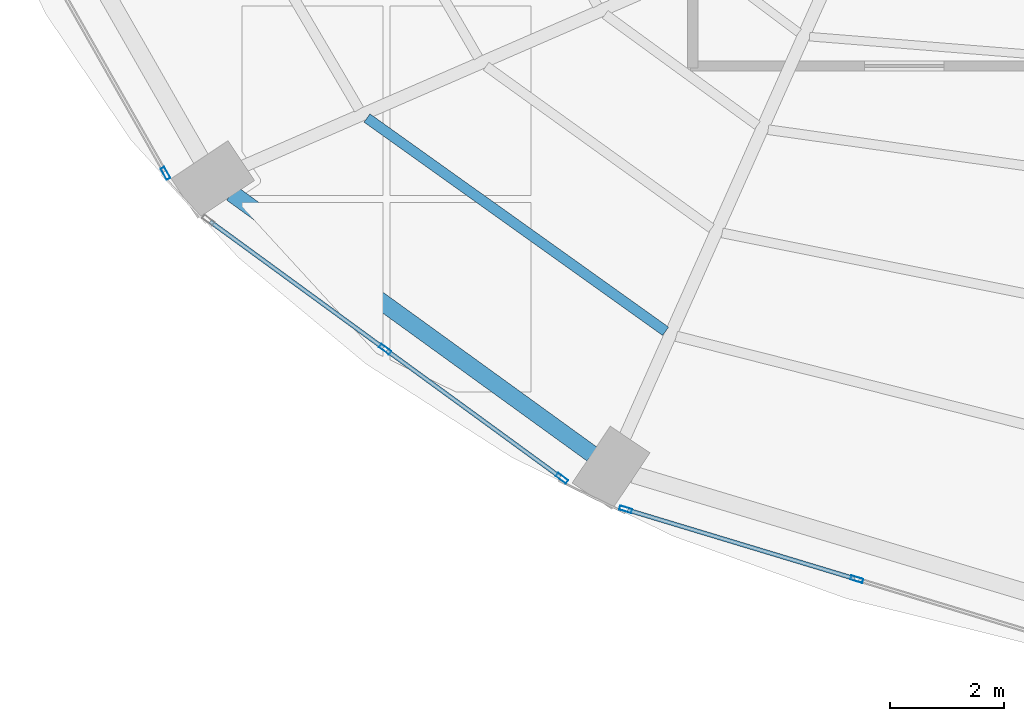
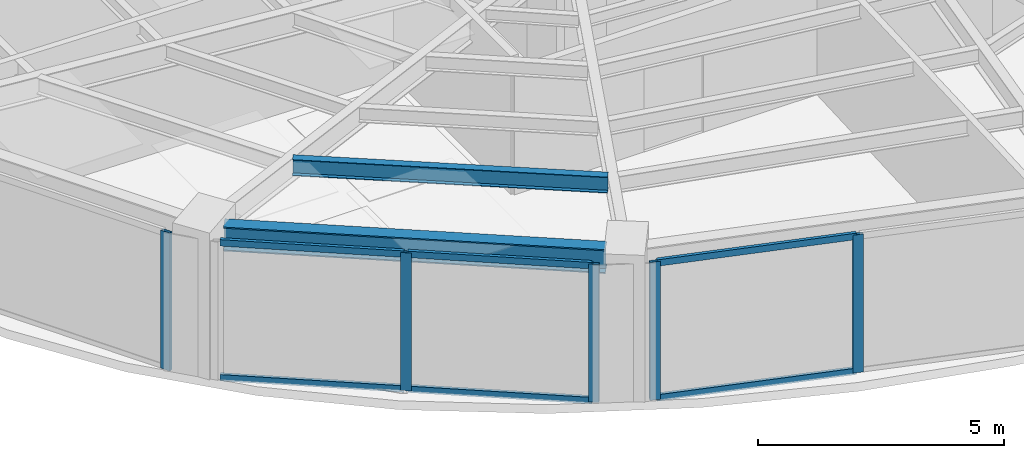
# One storey, part 2 of 24: 11 members, 2 beams, 3 elements without a shape of their own.
"""IFC4 building model written with IfcOpenShell, lengths in metres."""

from ifc_helpers import new_model, si_unit, direction, frame, origin, origin_2d, place, context, subcontext, project, spatial, hollow_rectangle, i_section, extrude, material, layer, layer_set, material_profile, profile_set, type_object, element, aggregate, save


model = new_model("IFC4")

# Units and contexts
model_context = context("Model", 3, precision=1e-05, world=origin(), true_north=direction((0.0, 1.0)))
body_context = subcontext(model_context, "Body", "Model", "MODEL_VIEW")
ifc_project = project(units=[si_unit("LENGTHUNIT", "METRE"), si_unit("AREAUNIT", "SQUARE_METRE"), si_unit("VOLUMEUNIT", "CUBIC_METRE"), si_unit("PLANEANGLEUNIT", "RADIAN"), si_unit("MASSUNIT", "GRAM", prefix="KILO")], contexts=[model_context])

# Site, building, storey
site_placement = place(None, origin())
site = spatial("IfcSite", under=ifc_project, at=site_placement, CompositionType="ELEMENT")
building_placement = place(site_placement, origin())
building = spatial("IfcBuilding", under=site, at=building_placement, Name="Lazwardi Medical Tower", CompositionType="ELEMENT")
storey_placement = place(building_placement, frame((0.0, 0.0, 103.632080078125)))
storey = spatial("IfcBuildingStorey", under=building, at=storey_placement, Name="L26", CompositionType="ELEMENT", Elevation=103.632080078125)

# Beams
ifc_material_1 = material(Name="Steel S355", Category="steel")
ifc_material_profile_1 = material_profile(ifc_material_1, i_section(OverallWidth=0.300048828125, OverallDepth=0.60009765625, WebThickness=0.015380859375, FlangeThickness=0.030029296875, at=origin_2d()), Name="HEB 600")
ifc_profile_set_1 = profile_set([ifc_material_profile_1], Name="Steel S355")
beam_type_1 = type_object("IfcBeamType", Name="BM-RB-Z2", PredefinedType="BEAM", material=ifc_profile_set_1)
beam_1_placement = place(storey_placement, frame((15.25439453125, 15.164794921875, 3.1279296875), z_axis=(0.81005674773, -0.586351486275, 0.0), x_axis=(0.586351486275, 0.81005674773, 0.0)))
element("IfcBeam", 1, at=beam_1_placement, inside=storey, type_object=beam_type_1, Name="Ring beam RB-03 B14 L26", PredefinedType="BEAM", context=body_context, shape_type="SweptSolid", body=[
    extrude(i_section(OverallWidth=0.300048828125, OverallDepth=0.60009765625, WebThickness=0.015380859375, FlangeThickness=0.030029296875, at=origin_2d()), origin(), (0.0, 0.0, 1.0), 7.81396484375),
])
ifc_material_profile_2 = material_profile(ifc_material_1, i_section(OverallWidth=0.179931640625, OverallDepth=0.39990234375, WebThickness=0.008544921875, FlangeThickness=0.013427734375, at=origin_2d()), Name="IPE 400")
ifc_profile_set_2 = profile_set([ifc_material_profile_2], Name="Steel S355")
beam_type_2 = type_object("IfcBeamType", Name="BM-SJ-01", PredefinedType="JOIST", material=ifc_profile_set_2)
beam_2_placement = place(storey_placement, frame((17.630615234375, 16.485595703125, 3.22802734375), z_axis=(0.813748834317, -0.581216684763, 0.0), x_axis=(0.581216684763, 0.813748834317, 0.0)))
element("IfcBeam", 2, at=beam_2_placement, inside=storey, type_object=beam_type_2, Name="Secondary joist SJ-01 R1 B14 L26", PredefinedType="JOIST", context=body_context, shape_type="SweptSolid", body=[
    extrude(i_section(OverallWidth=0.179931640625, OverallDepth=0.39990234375, WebThickness=0.008544921875, FlangeThickness=0.013427734375, at=origin_2d()), origin(), (0.0, 0.0, 1.0), 6.4423828125),
])

# Curtain wall, member
ifc_material_2 = material(Name="Anodised bronze aluminium and solar control glazing", Category="aluminium")
ifc_layer = layer(ifc_material_2, 0.195068359375)
ifc_layer_set = layer_set([ifc_layer], Name="Anodised bronze aluminium and solar control glazing")
curtain_wall_type = type_object("IfcCurtainWallType", Name="CW-SYS-03", PredefinedType="NOTDEFINED", material=ifc_layer_set)
curtain_wall_1_placement = place(storey_placement, origin())
curtain_wall_1 = element("IfcCurtainWall", 3, at=curtain_wall_1_placement, inside=storey, type_object=curtain_wall_type, Name="L26 Unitised bronze curtain wall CW-03", PredefinedType="NOTDEFINED")
ifc_material_3 = material(Name="Anodised bronze aluminium", Category="aluminium")
ifc_material_profile_3 = material_profile(ifc_material_3, hollow_rectangle(XDim=0.074951171875, YDim=0.219970703125, WallThickness=0.00390625, at=origin_2d()), Name="ALU-MULLION 220x75x4")
ifc_profile_set_3 = profile_set([ifc_material_profile_3], Name="Anodised bronze aluminium")
member_type_1 = type_object("IfcMemberType", Name="CW-MUL-01", PredefinedType="MULLION", material=ifc_profile_set_3)
member_1_placement = place(storey_placement, frame((14.0927734375, 15.51416015625, 0.0), z_axis=(0.0, 0.0, 1.0), x_axis=(0.869687265712, 0.493603140041, 0.0)))
member_1 = element("IfcMember", 4, at=member_1_placement, type_object=member_type_1, Name="CW-03 mullion 2", PredefinedType="MULLION", context=body_context, shape_type="SweptSolid", body=[
    extrude(hollow_rectangle(XDim=0.074951171875, YDim=0.219970703125, WallThickness=0.00390625, at=origin_2d()), origin(), (0.0, 0.0, 1.0), 3.427978515625),
])
aggregate(curtain_wall_1, [member_1])

# Curtain wall, members
curtain_wall_2_placement = place(storey_placement, origin())
curtain_wall_2 = element("IfcCurtainWall", 5, at=curtain_wall_2_placement, inside=storey, type_object=curtain_wall_type, Name="L26 Unitised bronze curtain wall CW-03", PredefinedType="NOTDEFINED")
member_2_placement = place(storey_placement, frame((17.948974609375, 12.42578125, 0.0), z_axis=(0.0, 0.0, 1.0), x_axis=(0.589530882802, 0.807745837639, 0.0)))
member_2 = element("IfcMember", 6, at=member_2_placement, type_object=member_type_1, Name="CW-03 mullion 2", PredefinedType="MULLION", context=body_context, shape_type="SweptSolid", body=[
    extrude(hollow_rectangle(XDim=0.074951171875, YDim=0.219970703125, WallThickness=0.00390625, at=origin_2d()), origin(), (0.0, 0.0, 1.0), 3.427978515625),
])
member_3_placement = place(storey_placement, frame((21.052734375, 10.160400390625, 0.0), z_axis=(0.0, 0.0, 1.0), x_axis=(0.589530882802, 0.807745837639, 0.0)))
member_3 = element("IfcMember", 7, at=member_3_placement, type_object=member_type_1, Name="CW-03 mullion 3", PredefinedType="MULLION", context=body_context, shape_type="SweptSolid", body=[
    extrude(hollow_rectangle(XDim=0.074951171875, YDim=0.219970703125, WallThickness=0.00390625, at=origin_2d()), origin(), (0.0, 0.0, 1.0), 3.427978515625),
])

curtain_wall_3_placement = place(storey_placement, origin())
curtain_wall_3 = element("IfcCurtainWall", 8, at=curtain_wall_3_placement, inside=storey, type_object=curtain_wall_type, Name="L26 Unitised bronze curtain wall CW-03", PredefinedType="NOTDEFINED")
member_4_placement = place(storey_placement, frame((22.171630859375, 9.614013671875, 0.0), z_axis=(0.0, 0.0, 1.0), x_axis=(0.28937381157, 0.957216170558, 0.0)))
member_4 = element("IfcMember", 9, at=member_4_placement, type_object=member_type_1, Name="CW-03 mullion 1", PredefinedType="MULLION", context=body_context, shape_type="SweptSolid", body=[
    extrude(hollow_rectangle(XDim=0.074951171875, YDim=0.219970703125, WallThickness=0.00390625, at=origin_2d()), origin(), (0.0, 0.0, 1.0), 3.427978515625),
])
member_5_placement = place(storey_placement, frame((26.230712890625, 8.386962890625, 0.0), z_axis=(0.0, 0.0, 1.0), x_axis=(0.28937381157, 0.957216170558, 0.0)))
member_5 = element("IfcMember", 10, at=member_5_placement, type_object=member_type_1, Name="CW-03 mullion 2", PredefinedType="MULLION", context=body_context, shape_type="SweptSolid", body=[
    extrude(hollow_rectangle(XDim=0.074951171875, YDim=0.219970703125, WallThickness=0.00390625, at=origin_2d()), origin(), (0.0, 0.0, 1.0), 3.427978515625),
])

# Member
ifc_material_profile_4 = material_profile(ifc_material_3, hollow_rectangle(XDim=0.074951171875, YDim=0.159912109375, WallThickness=0.00390625, at=origin_2d()), Name="ALU-TRANSOM 160x75x4")
ifc_profile_set_4 = profile_set([ifc_material_profile_4], Name="Anodised bronze aluminium")
member_type_2 = type_object("IfcMemberType", Name="CW-TRN-01", PredefinedType="USERDEFINED", material=ifc_profile_set_4)
member_6_placement = place(storey_placement, frame((14.87548828125, 14.6689453125, 0.037353515625), z_axis=(0.807731734271, -0.589550206049, 0.0), x_axis=(0.589550206049, 0.807731734271, 0.0)))
member_6 = element("IfcMember", 11, at=member_6_placement, type_object=member_type_2, Name="CW-03 transom 1.1", ObjectType="TRANSOM", PredefinedType="USERDEFINED", context=body_context, shape_type="SweptSolid", body=[
    extrude(hollow_rectangle(XDim=0.074951171875, YDim=0.159912109375, WallThickness=0.00390625, at=origin_2d()), origin(), (0.0, 0.0, 1.0), 3.767578125),
])

member_7_placement = place(storey_placement, frame((14.87548828125, 14.6689453125, 3.390380859375), z_axis=(0.807731734271, -0.589550206049, 0.0), x_axis=(0.589550206049, 0.807731734271, 0.0)))
member_7 = element("IfcMember", 12, at=member_7_placement, type_object=member_type_2, Name="CW-03 transom 1.2", ObjectType="TRANSOM", PredefinedType="USERDEFINED", context=body_context, shape_type="SweptSolid", body=[
    extrude(hollow_rectangle(XDim=0.074951171875, YDim=0.159912109375, WallThickness=0.00390625, at=origin_2d()), origin(), (0.0, 0.0, 1.0), 3.767578125),
])

member_8_placement = place(storey_placement, frame((17.979248046875, 12.403564453125, 0.037353515625), z_axis=(0.80776259199, -0.58950792614, 0.0), x_axis=(0.58950792614, 0.80776259199, 0.0)))
member_8 = element("IfcMember", 13, at=member_8_placement, type_object=member_type_2, Name="CW-03 transom 2.1", ObjectType="TRANSOM", PredefinedType="USERDEFINED", context=body_context, shape_type="SweptSolid", body=[
    extrude(hollow_rectangle(XDim=0.074951171875, YDim=0.159912109375, WallThickness=0.00390625, at=origin_2d()), origin(), (0.0, 0.0, 1.0), 3.767578125),
])

member_9_placement = place(storey_placement, frame((17.979248046875, 12.403564453125, 3.390380859375), z_axis=(0.80776259199, -0.58950792614, 0.0), x_axis=(0.58950792614, 0.80776259199, 0.0)))
member_9 = element("IfcMember", 14, at=member_9_placement, type_object=member_type_2, Name="CW-03 transom 2.2", ObjectType="TRANSOM", PredefinedType="USERDEFINED", context=body_context, shape_type="SweptSolid", body=[
    extrude(hollow_rectangle(XDim=0.074951171875, YDim=0.159912109375, WallThickness=0.00390625, at=origin_2d()), origin(), (0.0, 0.0, 1.0), 3.767578125),
])

aggregate(curtain_wall_2, [member_2, member_3, member_6, member_7, member_8, member_9])

member_10_placement = place(storey_placement, frame((22.20751953125, 9.603271484375, 0.037353515625), z_axis=(0.957204630929, -0.289411980623, 0.0), x_axis=(0.289411980623, 0.957204630929, 0.0)))
member_10 = element("IfcMember", 15, at=member_10_placement, type_object=member_type_2, Name="CW-03 transom 1.1", ObjectType="TRANSOM", PredefinedType="USERDEFINED", context=body_context, shape_type="SweptSolid", body=[
    extrude(hollow_rectangle(XDim=0.074951171875, YDim=0.159912109375, WallThickness=0.00390625, at=origin_2d()), origin(), (0.0, 0.0, 1.0), 4.16552734375),
])

member_11_placement = place(storey_placement, frame((22.20751953125, 9.603271484375, 3.390380859375), z_axis=(0.957204630929, -0.289411980623, 0.0), x_axis=(0.289411980623, 0.957204630929, 0.0)))
member_11 = element("IfcMember", 16, at=member_11_placement, type_object=member_type_2, Name="CW-03 transom 1.2", ObjectType="TRANSOM", PredefinedType="USERDEFINED", context=body_context, shape_type="SweptSolid", body=[
    extrude(hollow_rectangle(XDim=0.074951171875, YDim=0.159912109375, WallThickness=0.00390625, at=origin_2d()), origin(), (0.0, 0.0, 1.0), 4.16552734375),
])

aggregate(curtain_wall_3, [member_4, member_5, member_10, member_11])

save(model, "model.ifc")
